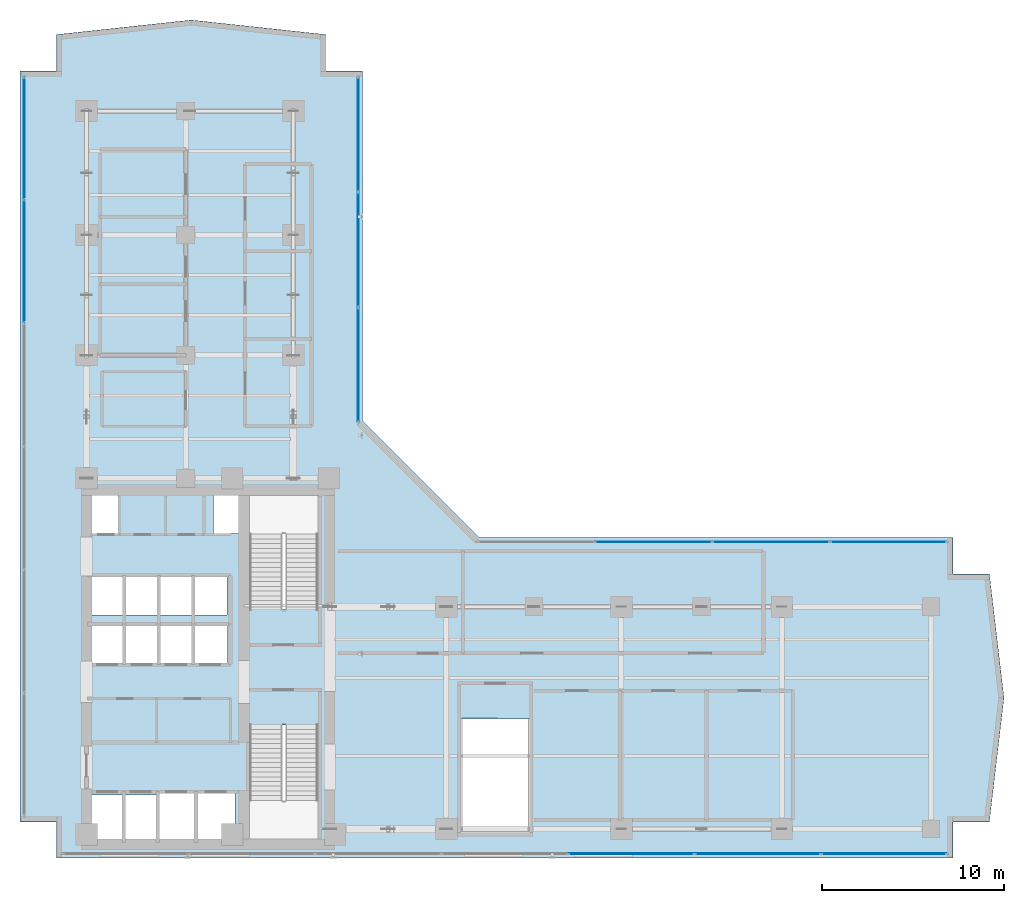
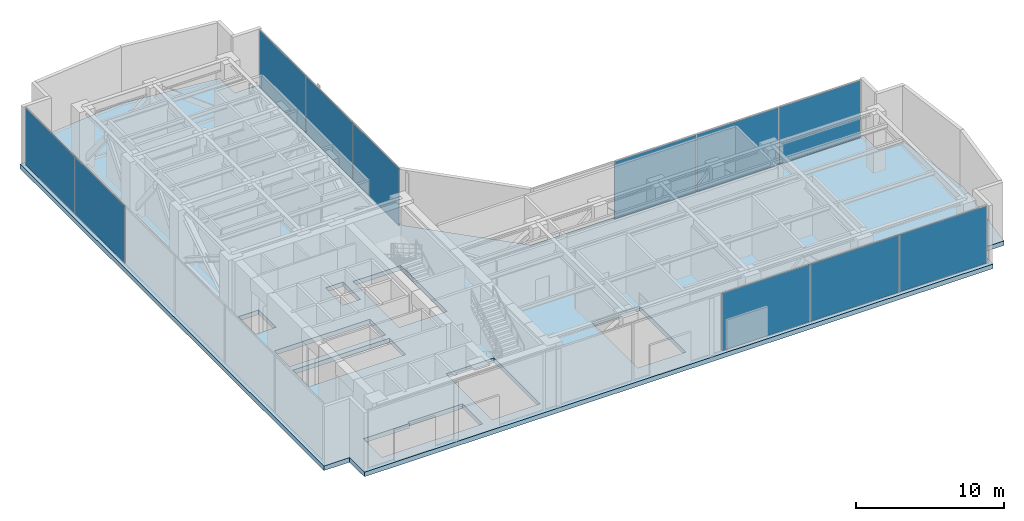
# One storey, part 27 of 36: 11 plates, 1 slab, 4 elements without a shape of their own.
"""IFC4 building model written with IfcOpenShell, lengths in metres."""

from ifc_helpers import new_model, si_unit, direction, frame, origin, origin_with_axes, origin_2d, place, context, subcontext, project, spatial, polyline, rectangle, outline, extrude, source, transform, mapped, material, layer, layer_set, type_object, element, aggregate, save


model = new_model("IFC4")

# Units and contexts
model_context = context("Model", 3, precision=1e-05, world=origin(), true_north=direction((0.0, 1.0)))
body_context = subcontext(model_context, "Body", "Model", "MODEL_VIEW")
ifc_project = project(units=[si_unit("LENGTHUNIT", "METRE"), si_unit("AREAUNIT", "SQUARE_METRE"), si_unit("VOLUMEUNIT", "CUBIC_METRE"), si_unit("PLANEANGLEUNIT", "RADIAN"), si_unit("MASSUNIT", "GRAM", prefix="KILO")], contexts=[model_context])

# Site, building, storey
site_placement = place(None, origin())
site = spatial("IfcSite", under=ifc_project, at=site_placement, CompositionType="ELEMENT")
building_placement = place(site_placement, origin())
building = spatial("IfcBuilding", under=site, at=building_placement, Name="Kolvaren Waterfront Exchange", CompositionType="ELEMENT")
storey_placement = place(building_placement, frame((0.0, 0.0, 199.39990234375)))
storey = spatial("IfcBuildingStorey", under=building, at=storey_placement, Name="L51", CompositionType="ELEMENT", Elevation=199.39990234375)

# Slab
ifc_material_1 = material(Name="Concrete C40/50", Category="concrete")
ifc_layer_1 = layer(ifc_material_1, 0.3798828125, Name="Concrete C40/50")
ifc_layer_set_1 = layer_set([ifc_layer_1], Name="Concrete C40/50")
slab_type = type_object("IfcSlabType", Name="STR-SLAB-380", PredefinedType="FLOOR", material=ifc_layer_set_1)
slab_placement = place(storey_placement, frame((0.0, 0.0, -0.3798828125)))
element("IfcSlab", 1, at=slab_placement, inside=storey, type_object=slab_type, Name="L51 structural floor slab", PredefinedType="FLOOR", context=body_context, shape_type="SweptSolid", body=[
    extrude(outline(polyline([(5.800048828125, 3.60009765625), (55.0, 3.60009765625), (55.0, 5.60009765625), (57.0, 5.60009765625), (57.800048828125, 12.39990234375), (57.0, 19.199951171875), (55.0, 19.199951171875), (55.0, 21.199951171875), (29.0, 21.199951171875), (22.60009765625, 27.60009765625), (22.60009765625, 46.800048828125), (20.60009765625, 46.800048828125), (20.60009765625, 48.800048828125), (13.199951171875, 49.60009765625), (5.800048828125, 48.800048828125), (5.800048828125, 46.800048828125), (3.800048828125, 46.800048828125), (3.800048828125, 5.60009765625), (5.800048828125, 5.60009765625), (5.800048828125, 3.60009765625)]), holes=[polyline([(11.320068359375, 7.260009765625), (15.610107421875, 7.260009765625), (15.610107421875, 4.5400390625), (7.719970703125, 4.5400390625), (7.719970703125, 7.06005859375), (11.320068359375, 7.06005859375), (11.320068359375, 7.260009765625)]), polyline([(20.159912109375, 10.89990234375), (20.159912109375, 4.64990234375), (16.39990234375, 4.64990234375), (16.39990234375, 10.89990234375), (20.159912109375, 10.89990234375)]), polyline([(31.760009765625, 11.25), (31.760009765625, 5.0), (28.0, 5.0), (28.0, 11.25), (31.760009765625, 11.25)]), polyline([(15.18505859375, 14.239990234375), (7.64501953125, 14.239990234375), (7.64501953125, 16.4599609375), (15.18505859375, 16.4599609375), (15.18505859375, 14.239990234375)]), polyline([(15.159912109375, 16.93994140625), (7.669921875, 16.93994140625), (7.669921875, 19.06005859375), (15.159912109375, 19.06005859375), (15.159912109375, 16.93994140625)]), polyline([(16.39990234375, 23.5), (20.159912109375, 23.5), (20.159912109375, 17.25), (16.39990234375, 17.25), (16.39990234375, 23.5)]), polyline([(7.60009765625, 23.780029296875), (9.179931640625, 23.780029296875), (9.179931640625, 21.419921875), (7.60009765625, 21.419921875), (7.60009765625, 23.780029296875)]), polyline([(15.800048828125, 23.780029296875), (15.800048828125, 21.419921875), (14.419921875, 21.419921875), (14.419921875, 23.780029296875), (15.800048828125, 23.780029296875)])]), origin(), (0.0, 0.0, 1.0), 0.3798828125),
])

# Curtain wall, plates
ifc_material_2 = material(Name="Anodised dark bronze spandrel aluminium", Category="aluminium")
ifc_layer_2 = layer(ifc_material_2, 0.219970703125, Name="Anodised dark bronze spandrel aluminium")
ifc_layer_set_2 = layer_set([ifc_layer_2], Name="Anodised dark bronze spandrel aluminium")
curtain_wall_type = type_object("IfcCurtainWallType", Name="ARC-CW-SYS6", PredefinedType="USERDEFINED", material=ifc_layer_set_2)
curtain_wall_1_placement = place(storey_placement, origin())
curtain_wall_1 = element("IfcCurtainWall", 2, at=curtain_wall_1_placement, inside=storey, type_object=curtain_wall_type, Name="L51 stick curtain wall CW6 (CW-L51-S)", ObjectType="STICK CURTAIN WALL", PredefinedType="USERDEFINED")
ifc_layer_3 = layer(ifc_material_2, 0.0419921875, Name="Anodised dark bronze spandrel aluminium")
ifc_layer_set_3 = layer_set([ifc_layer_3], Name="Anodised dark bronze spandrel aluminium")
plate_type = type_object("IfcPlateType", Name="ARC-CWP-42", PredefinedType="CURTAIN_PANEL", material=ifc_layer_set_3)
shared_shape_1 = source(origin_with_axes(), body_context, "Body", "SweptSolid", [
    extrude(rectangle(XDim=6.830322265625, YDim=0.0419921875, at=origin_2d()), origin(), (0.0, 0.0, 1.0), 4.72998046875),
])
plate_1_placement = place(storey_placement, frame((51.209716796875, 3.840087890625, 0.065185546875), z_axis=(0.0, 0.0, 1.0), x_axis=(1.0, 0.0, 0.0)))
plate_1 = element("IfcPlate", 3, at=plate_1_placement, type_object=plate_type, Name="CW6 panel 7.1", PredefinedType="CURTAIN_PANEL", context=body_context, shape_type="MappedRepresentation", body=[
    mapped(shared_shape_1, transform((0.0, 0.0, 0.0), x_axis=(1.0, 0.0, 0.0), y_axis=(0.0, 1.0, 0.0), z_axis=(0.0, 0.0, 1.0), scale=1.0)),
])
shared_shape_2 = source(origin_with_axes(), body_context, "Body", "SweptSolid", [
    extrude(rectangle(XDim=6.867919921875, YDim=0.0419921875, at=origin_2d()), origin(), (0.0, 0.0, 1.0), 4.72998046875),
])
plate_2_placement = place(storey_placement, frame((37.3427734375, 3.840087890625, 0.065185546875), z_axis=(0.0, 0.0, 1.0), x_axis=(1.0, 0.0, 0.0)))
plate_2 = element("IfcPlate", 4, at=plate_2_placement, type_object=plate_type, Name="CW6 panel 5.1", PredefinedType="CURTAIN_PANEL", context=body_context, shape_type="MappedRepresentation", body=[
    mapped(shared_shape_2, transform((0.0, 0.0, 0.0), x_axis=(1.0, 0.0, 0.0), y_axis=(0.0, 1.0, 0.0), z_axis=(0.0, 0.0, 1.0), scale=1.0)),
])
plate_3_placement = place(storey_placement, frame((44.28564453125, 3.840087890625, 0.065185546875), z_axis=(0.0, 0.0, 1.0), x_axis=(1.0, 0.0, 0.0)))
plate_3 = element("IfcPlate", 5, at=plate_3_placement, type_object=plate_type, Name="CW6 panel 6.1", PredefinedType="CURTAIN_PANEL", context=body_context, shape_type="MappedRepresentation", body=[
    mapped(shared_shape_2, transform((0.0, 0.0, 0.0), x_axis=(1.0, 0.0, 0.0), y_axis=(0.0, 1.0, 0.0), z_axis=(0.0, 0.0, 1.0), scale=1.0)),
])
aggregate(curtain_wall_1, [plate_2, plate_3, plate_1])

curtain_wall_2_placement = place(storey_placement, origin())
curtain_wall_2 = element("IfcCurtainWall", 6, at=curtain_wall_2_placement, inside=storey, type_object=curtain_wall_type, Name="L51 stick curtain wall CW6 (CW-L51-W)", ObjectType="STICK CURTAIN WALL", PredefinedType="USERDEFINED")
shared_shape_3 = source(origin_with_axes(), body_context, "Body", "SweptSolid", [
    extrude(rectangle(XDim=6.654052734375, YDim=0.0419921875, at=origin_2d()), origin(), (0.0, 0.0, 1.0), 4.72998046875),
])
plate_4_placement = place(storey_placement, frame((4.0400390625, 43.097900390625, 0.065185546875), z_axis=(0.0, 0.0, 1.0), x_axis=(0.0, 1.0, 0.0)))
plate_4 = element("IfcPlate", 7, at=plate_4_placement, type_object=plate_type, Name="CW6 panel 6.1", PredefinedType="CURTAIN_PANEL", context=body_context, shape_type="MappedRepresentation", body=[
    mapped(shared_shape_3, transform((0.0, 0.0, 0.0), x_axis=(1.0, 0.0, 0.0), y_axis=(0.0, 1.0, 0.0), z_axis=(0.0, 0.0, 1.0), scale=1.0)),
])
shared_shape_4 = source(origin_with_axes(), body_context, "Body", "SweptSolid", [
    extrude(rectangle(XDim=6.691650390625, YDim=0.0419921875, at=origin_2d()), origin(), (0.0, 0.0, 1.0), 4.72998046875),
])
plate_5_placement = place(storey_placement, frame((4.0400390625, 36.35009765625, 0.065185546875), z_axis=(0.0, 0.0, 1.0), x_axis=(0.0, 1.0, 0.0)))
plate_5 = element("IfcPlate", 8, at=plate_5_placement, type_object=plate_type, Name="CW6 panel 5.1", PredefinedType="CURTAIN_PANEL", context=body_context, shape_type="MappedRepresentation", body=[
    mapped(shared_shape_4, transform((0.0, 0.0, 0.0), x_axis=(1.0, 0.0, 0.0), y_axis=(0.0, 1.0, 0.0), z_axis=(0.0, 0.0, 1.0), scale=1.0)),
])
aggregate(curtain_wall_2, [plate_5, plate_4])

curtain_wall_3_placement = place(storey_placement, origin())
curtain_wall_3 = element("IfcCurtainWall", 9, at=curtain_wall_3_placement, inside=storey, type_object=curtain_wall_type, Name="L51 stick curtain wall CW6 (CW-L51-NE)", ObjectType="STICK CURTAIN WALL", PredefinedType="USERDEFINED")
shared_shape_5 = source(origin_with_axes(), body_context, "Body", "SweptSolid", [
    extrude(rectangle(XDim=6.22412109375, YDim=0.0419921875, at=origin_2d()), origin(), (0.0, 0.0, 1.0), 4.72998046875),
])
plate_6_placement = place(storey_placement, frame((22.360107421875, 30.677001953125, 0.065185546875), z_axis=(0.0, 0.0, 1.0), x_axis=(0.0, 1.0, 0.0)))
plate_6 = element("IfcPlate", 10, at=plate_6_placement, type_object=plate_type, Name="CW6 panel 1.1", PredefinedType="CURTAIN_PANEL", context=body_context, shape_type="MappedRepresentation", body=[
    mapped(shared_shape_5, transform((0.0, 0.0, 0.0), x_axis=(1.0, 0.0, 0.0), y_axis=(0.0, 1.0, 0.0), z_axis=(0.0, 0.0, 1.0), scale=1.0)),
])
plate_7_placement = place(storey_placement, frame((22.360107421875, 43.31298828125, 0.065185546875), z_axis=(0.0, 0.0, 1.0), x_axis=(0.0, 1.0, 0.0)))
plate_7 = element("IfcPlate", 11, at=plate_7_placement, type_object=plate_type, Name="CW6 panel 3.1", PredefinedType="CURTAIN_PANEL", context=body_context, shape_type="MappedRepresentation", body=[
    mapped(shared_shape_5, transform((0.0, 0.0, 0.0), x_axis=(1.0, 0.0, 0.0), y_axis=(0.0, 1.0, 0.0), z_axis=(0.0, 0.0, 1.0), scale=1.0)),
])
shared_shape_6 = source(origin_with_axes(), body_context, "Body", "SweptSolid", [
    extrude(rectangle(XDim=6.26171875, YDim=0.0419921875, at=origin_2d()), origin(), (0.0, 0.0, 1.0), 4.72998046875),
])
plate_8_placement = place(storey_placement, frame((22.360107421875, 36.9951171875, 0.065185546875), z_axis=(0.0, 0.0, 1.0), x_axis=(0.0, 1.0, 0.0)))
plate_8 = element("IfcPlate", 12, at=plate_8_placement, type_object=plate_type, Name="CW6 panel 2.1", PredefinedType="CURTAIN_PANEL", context=body_context, shape_type="MappedRepresentation", body=[
    mapped(shared_shape_6, transform((0.0, 0.0, 0.0), x_axis=(1.0, 0.0, 0.0), y_axis=(0.0, 1.0, 0.0), z_axis=(0.0, 0.0, 1.0), scale=1.0)),
])
aggregate(curtain_wall_3, [plate_6, plate_8, plate_7])

curtain_wall_4_placement = place(storey_placement, origin())
curtain_wall_4 = element("IfcCurtainWall", 13, at=curtain_wall_4_placement, inside=storey, type_object=curtain_wall_type, Name="L51 stick curtain wall CW6 (CW-L51-EN)", ObjectType="STICK CURTAIN WALL", PredefinedType="USERDEFINED")
shared_shape_7 = source(origin_with_axes(), body_context, "Body", "SweptSolid", [
    extrude(rectangle(XDim=6.340087890625, YDim=0.0419921875, at=origin_2d()), origin(), (0.0, 0.0, 1.0), 4.72998046875),
])
plate_9_placement = place(storey_placement, frame((51.455078125, 20.9599609375, 0.065185546875), z_axis=(0.0, 0.0, 1.0), x_axis=(1.0, 0.0, 0.0)))
plate_9 = element("IfcPlate", 14, at=plate_9_placement, type_object=plate_type, Name="CW6 panel 4.1", PredefinedType="CURTAIN_PANEL", context=body_context, shape_type="MappedRepresentation", body=[
    mapped(shared_shape_7, transform((0.0, 0.0, 0.0), x_axis=(1.0, 0.0, 0.0), y_axis=(0.0, 1.0, 0.0), z_axis=(0.0, 0.0, 1.0), scale=1.0)),
])
shared_shape_8 = source(origin_with_axes(), body_context, "Body", "SweptSolid", [
    extrude(rectangle(XDim=6.37744140625, YDim=0.0419921875, at=origin_2d()), origin(), (0.0, 0.0, 1.0), 4.72998046875),
])
plate_10_placement = place(storey_placement, frame((38.56884765625, 20.9599609375, 0.065185546875), z_axis=(0.0, 0.0, 1.0), x_axis=(1.0, 0.0, 0.0)))
plate_10 = element("IfcPlate", 15, at=plate_10_placement, type_object=plate_type, Name="CW6 panel 2.1", PredefinedType="CURTAIN_PANEL", context=body_context, shape_type="MappedRepresentation", body=[
    mapped(shared_shape_8, transform((0.0, 0.0, 0.0), x_axis=(1.0, 0.0, 0.0), y_axis=(0.0, 1.0, 0.0), z_axis=(0.0, 0.0, 1.0), scale=1.0)),
])
plate_11_placement = place(storey_placement, frame((45.021240234375, 20.9599609375, 0.065185546875), z_axis=(0.0, 0.0, 1.0), x_axis=(1.0, 0.0, 0.0)))
plate_11 = element("IfcPlate", 16, at=plate_11_placement, type_object=plate_type, Name="CW6 panel 3.1", PredefinedType="CURTAIN_PANEL", context=body_context, shape_type="MappedRepresentation", body=[
    mapped(shared_shape_8, transform((0.0, 0.0, 0.0), x_axis=(1.0, 0.0, 0.0), y_axis=(0.0, 1.0, 0.0), z_axis=(0.0, 0.0, 1.0), scale=1.0)),
])
aggregate(curtain_wall_4, [plate_10, plate_11, plate_9])

save(model, "model.ifc")
